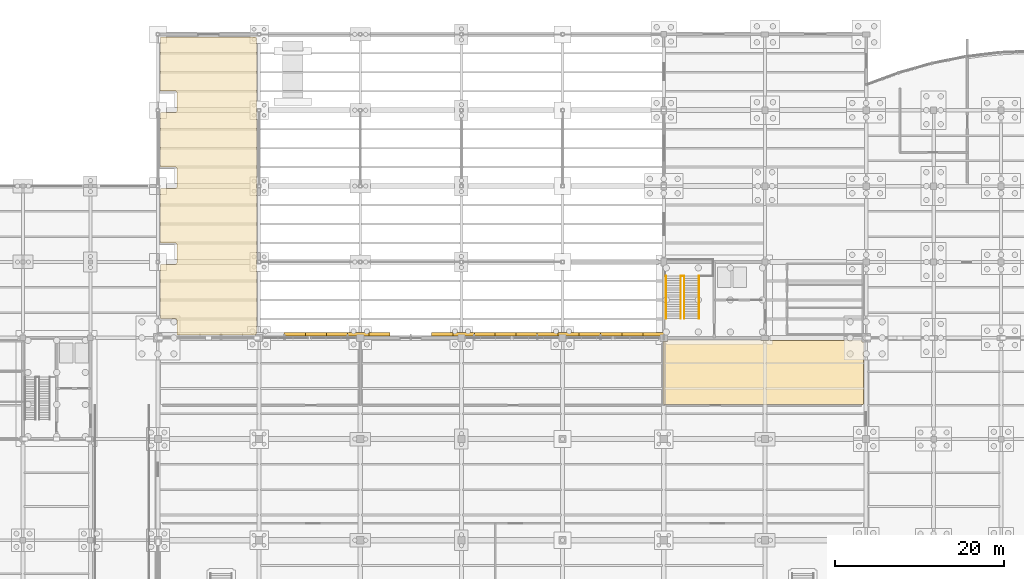
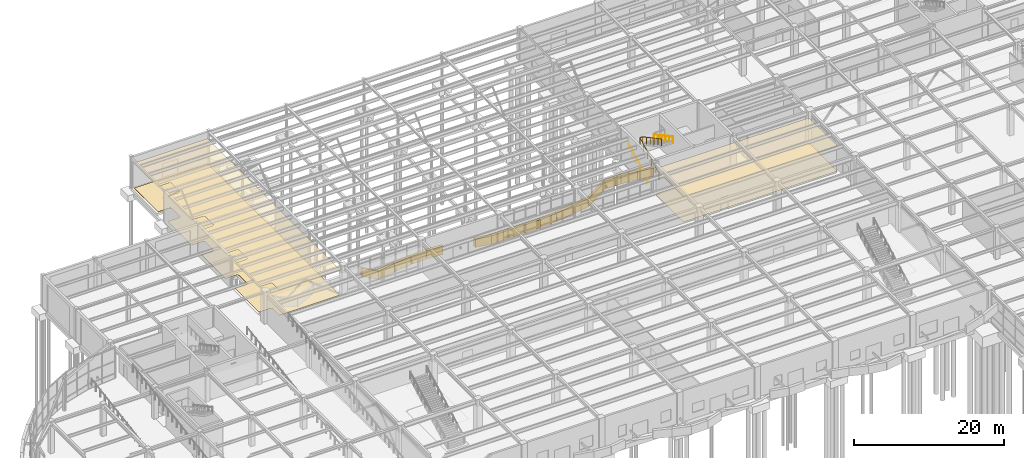
# One storey, part 78 of 85: 20 coverings, 3 railings.
"""IFC4 building model written with IfcOpenShell, lengths in metres."""

from ifc_helpers import new_model, si_unit, direction, frame, origin, origin_2d, place, context, subcontext, project, spatial, polyline, circle, outline, extrude, material, layer, layer_set, type_object, element, save


model = new_model("IFC4")

# Units and contexts
model_context = context("Model", 3, precision=1e-05, world=origin(), true_north=direction((0.0, 1.0)))
body_context = subcontext(model_context, "Body", "Model", "MODEL_VIEW")
ifc_project = project(units=[si_unit("LENGTHUNIT", "METRE"), si_unit("AREAUNIT", "SQUARE_METRE"), si_unit("VOLUMEUNIT", "CUBIC_METRE"), si_unit("PLANEANGLEUNIT", "RADIAN"), si_unit("MASSUNIT", "GRAM", prefix="KILO")], contexts=[model_context])

# Site, building, storey
site_placement = place(None, origin())
site = spatial("IfcSite", under=ifc_project, at=site_placement, CompositionType="ELEMENT")
building_placement = place(site_placement, origin())
building = spatial("IfcBuilding", under=site, at=building_placement, Name="Keelwater Ferry Terminal", CompositionType="ELEMENT")
storey_placement = place(building_placement, origin())
storey = spatial("IfcBuildingStorey", under=building, at=storey_placement, Name="L00", CompositionType="ELEMENT", Elevation=0.0)

# Coverings
ifc_material_1 = material(Name="Perforated acoustic gypsum board ceiling", Category="gypsum")
ifc_layer_1 = layer(ifc_material_1, 0.044921875)
ifc_layer_set_1 = layer_set([ifc_layer_1], Name="Perforated acoustic gypsum board ceiling")
covering_type_1 = type_object("IfcCoveringType", Name="CL-AC Acoustic Baffle Ceiling", PredefinedType="CEILING", material=ifc_layer_set_1)
covering_1_placement = place(storey_placement, frame((0.0, 0.0, 4.10009765625)))
element("IfcCovering", 1, at=covering_1_placement, inside=storey, type_object=covering_type_1, Name="Terminal Electrical Substation Acoustic Ceiling", PredefinedType="CEILING", context=body_context, shape_type="SweptSolid", body=[
    extrude(outline(polyline([(108.43701171875, 89.679931640625), (108.445068359375, 89.679931640625), (131.47998046875, 89.679931640625), (131.488037109375, 89.679931640625), (131.489990234375, 89.678955078125), (131.489990234375, 89.489990234375), (131.678955078125, 89.489990234375), (131.679931640625, 89.488037109375), (131.679931640625, 89.47998046875), (131.679931640625, 82.199951171875), (131.679931640625, 82.19189453125), (131.677978515625, 82.18408203125), (131.677001953125, 82.177001953125), (131.674072265625, 82.1689453125), (131.6708984375, 82.162109375), (131.6669921875, 82.156005859375), (131.662109375, 82.14892578125), (131.656982421875, 82.14306640625), (131.65087890625, 82.137939453125), (131.64404296875, 82.133056640625), (131.637939453125, 82.12890625), (131.631103515625, 82.1259765625), (131.623046875, 82.123046875), (131.615966796875, 82.1220703125), (131.60791015625, 82.1201171875), (131.60009765625, 82.1201171875), (108.0, 82.1201171875), (107.991943359375, 82.1201171875), (107.98388671875, 82.1220703125), (107.97705078125, 82.123046875), (107.968994140625, 82.1259765625), (107.9619140625, 82.12890625), (107.9560546875, 82.133056640625), (107.948974609375, 82.137939453125), (107.943115234375, 82.14306640625), (107.93798828125, 82.14892578125), (107.93310546875, 82.156005859375), (107.928955078125, 82.162109375), (107.926025390625, 82.1689453125), (107.923095703125, 82.177001953125), (107.922119140625, 82.18408203125), (107.919921875, 82.19189453125), (107.919921875, 82.199951171875), (107.919921875, 89.554931640625), (107.919921875, 89.56298828125), (107.9208984375, 89.56494140625), (108.43505859375, 89.56494140625), (108.43505859375, 89.678955078125), (108.43701171875, 89.679931640625)])), origin(), (0.0, 0.0, 1.0), 0.044921875),
])
covering_2_placement = place(storey_placement, frame((0.0, 0.0, 4.10009765625)))
element("IfcCovering", 2, at=covering_2_placement, inside=storey, type_object=covering_type_1, Name="Bicycle Hub Acoustic Ceiling", PredefinedType="CEILING", context=body_context, shape_type="SweptSolid", body=[
    extrude(outline(polyline([(59.615966796875, 125.677978515625), (59.623046875, 125.677001953125), (59.631103515625, 125.674072265625), (59.637939453125, 125.6708984375), (59.64404296875, 125.6669921875), (59.65087890625, 125.662109375), (59.656982421875, 125.656982421875), (59.662109375, 125.65087890625), (59.6669921875, 125.64404296875), (59.6708984375, 125.637939453125), (59.674072265625, 125.631103515625), (59.677001953125, 125.623046875), (59.677978515625, 125.615966796875), (59.679931640625, 125.60791015625), (59.679931640625, 125.60009765625), (59.679931640625, 90.445068359375), (59.679931640625, 90.43701171875), (59.678955078125, 90.43505859375), (59.56494140625, 90.43505859375), (59.56494140625, 90.321044921875), (59.56298828125, 90.320068359375), (59.554931640625, 90.320068359375), (50.280029296875, 90.320068359375), (50.280029296875, 92.0), (50.279052734375, 92.027099609375), (50.27490234375, 92.054931640625), (50.26806640625, 92.0810546875), (50.259033203125, 92.10693359375), (50.2470703125, 92.132080078125), (50.23291015625, 92.156005859375), (50.216064453125, 92.177978515625), (50.197998046875, 92.197998046875), (50.177978515625, 92.216064453125), (50.156005859375, 92.23291015625), (50.132080078125, 92.2470703125), (50.10693359375, 92.259033203125), (50.0810546875, 92.26806640625), (50.054931640625, 92.27490234375), (50.027099609375, 92.279052734375), (50.0, 92.280029296875), (48.320068359375, 92.280029296875), (48.320068359375, 98.719970703125), (50.0, 98.719970703125), (50.027099609375, 98.720947265625), (50.054931640625, 98.72509765625), (50.0810546875, 98.73193359375), (50.10693359375, 98.740966796875), (50.132080078125, 98.7529296875), (50.156005859375, 98.76708984375), (50.177978515625, 98.783935546875), (50.197998046875, 98.802001953125), (50.216064453125, 98.822021484375), (50.23291015625, 98.843994140625), (50.2470703125, 98.867919921875), (50.259033203125, 98.89306640625), (50.26806640625, 98.9189453125), (50.27490234375, 98.945068359375), (50.279052734375, 98.972900390625), (50.280029296875, 99.0), (50.280029296875, 101.0), (50.279052734375, 101.027099609375), (50.27490234375, 101.054931640625), (50.26806640625, 101.0810546875), (50.259033203125, 101.10693359375), (50.2470703125, 101.132080078125), (50.23291015625, 101.156005859375), (50.216064453125, 101.177978515625), (50.197998046875, 101.197998046875), (50.177978515625, 101.216064453125), (50.156005859375, 101.23291015625), (50.132080078125, 101.2470703125), (50.10693359375, 101.259033203125), (50.0810546875, 101.26806640625), (50.054931640625, 101.27490234375), (50.027099609375, 101.279052734375), (50.0, 101.280029296875), (48.320068359375, 101.280029296875), (48.320068359375, 107.719970703125), (50.0, 107.719970703125), (50.027099609375, 107.720947265625), (50.054931640625, 107.72509765625), (50.0810546875, 107.73193359375), (50.10693359375, 107.740966796875), (50.132080078125, 107.7529296875), (50.156005859375, 107.76708984375), (50.177978515625, 107.783935546875), (50.197998046875, 107.802001953125), (50.216064453125, 107.822021484375), (50.23291015625, 107.843994140625), (50.2470703125, 107.867919921875), (50.259033203125, 107.89306640625), (50.26806640625, 107.9189453125), (50.27490234375, 107.945068359375), (50.279052734375, 107.972900390625), (50.280029296875, 108.0), (50.280029296875, 110.0), (50.279052734375, 110.027099609375), (50.27490234375, 110.054931640625), (50.26806640625, 110.0810546875), (50.259033203125, 110.10693359375), (50.2470703125, 110.132080078125), (50.23291015625, 110.156005859375), (50.216064453125, 110.177978515625), (50.197998046875, 110.197998046875), (50.177978515625, 110.216064453125), (50.156005859375, 110.23291015625), (50.132080078125, 110.2470703125), (50.10693359375, 110.259033203125), (50.0810546875, 110.26806640625), (50.054931640625, 110.27490234375), (50.027099609375, 110.279052734375), (50.0, 110.280029296875), (48.320068359375, 110.280029296875), (48.320068359375, 116.719970703125), (50.0, 116.719970703125), (50.027099609375, 116.720947265625), (50.054931640625, 116.72509765625), (50.0810546875, 116.73193359375), (50.10693359375, 116.740966796875), (50.132080078125, 116.7529296875), (50.156005859375, 116.76708984375), (50.177978515625, 116.783935546875), (50.197998046875, 116.802001953125), (50.216064453125, 116.822021484375), (50.23291015625, 116.843994140625), (50.2470703125, 116.867919921875), (50.259033203125, 116.89306640625), (50.26806640625, 116.9189453125), (50.27490234375, 116.945068359375), (50.279052734375, 116.972900390625), (50.280029296875, 117.0), (50.280029296875, 119.0), (50.279052734375, 119.027099609375), (50.27490234375, 119.054931640625), (50.26806640625, 119.0810546875), (50.259033203125, 119.10693359375), (50.2470703125, 119.132080078125), (50.23291015625, 119.156005859375), (50.216064453125, 119.177978515625), (50.197998046875, 119.197998046875), (50.177978515625, 119.216064453125), (50.156005859375, 119.23291015625), (50.132080078125, 119.2470703125), (50.10693359375, 119.259033203125), (50.0810546875, 119.26806640625), (50.054931640625, 119.27490234375), (50.027099609375, 119.279052734375), (50.0, 119.280029296875), (48.320068359375, 119.280029296875), (48.320068359375, 125.60009765625), (48.320068359375, 125.60791015625), (48.322021484375, 125.615966796875), (48.322998046875, 125.623046875), (48.325927734375, 125.631103515625), (48.3291015625, 125.637939453125), (48.3330078125, 125.64404296875), (48.337890625, 125.65087890625), (48.343017578125, 125.656982421875), (48.34912109375, 125.662109375), (48.35595703125, 125.6669921875), (48.362060546875, 125.6708984375), (48.368896484375, 125.674072265625), (48.376953125, 125.677001953125), (48.384033203125, 125.677978515625), (48.39208984375, 125.679931640625), (48.39990234375, 125.679931640625), (59.60009765625, 125.679931640625), (59.60791015625, 125.679931640625), (59.615966796875, 125.677978515625)])), origin(), (0.0, 0.0, 1.0), 0.044921875),
])
ifc_material_2 = material(Name="Polished mineral terrazzo tile", Category="stone")
ifc_layer_2 = layer(ifc_material_2, 0.030029296875)
ifc_layer_set_2 = layer_set([ifc_layer_2], Name="Polished mineral terrazzo tile")
covering_type_2 = type_object("IfcCoveringType", Name="FL-TZ Marine Terrazzo Flooring", PredefinedType="FLOORING", material=ifc_layer_set_2)
covering_3_placement = place(storey_placement, origin())
element("IfcCovering", 3, at=covering_3_placement, inside=storey, type_object=covering_type_2, Name="Terminal Electrical Substation Terrazzo Floor", PredefinedType="FLOORING", context=body_context, shape_type="SweptSolid", body=[
    extrude(outline(polyline([(108.43701171875, 89.679931640625), (108.445068359375, 89.679931640625), (131.47998046875, 89.679931640625), (131.488037109375, 89.679931640625), (131.489990234375, 89.678955078125), (131.489990234375, 89.489990234375), (131.678955078125, 89.489990234375), (131.679931640625, 89.488037109375), (131.679931640625, 89.47998046875), (131.679931640625, 82.199951171875), (131.679931640625, 82.19189453125), (131.677978515625, 82.18408203125), (131.677001953125, 82.177001953125), (131.674072265625, 82.1689453125), (131.6708984375, 82.162109375), (131.6669921875, 82.156005859375), (131.662109375, 82.14892578125), (131.656982421875, 82.14306640625), (131.65087890625, 82.137939453125), (131.64404296875, 82.133056640625), (131.637939453125, 82.12890625), (131.631103515625, 82.1259765625), (131.623046875, 82.123046875), (131.615966796875, 82.1220703125), (131.60791015625, 82.1201171875), (131.60009765625, 82.1201171875), (108.0, 82.1201171875), (107.991943359375, 82.1201171875), (107.98388671875, 82.1220703125), (107.97705078125, 82.123046875), (107.968994140625, 82.1259765625), (107.9619140625, 82.12890625), (107.9560546875, 82.133056640625), (107.948974609375, 82.137939453125), (107.943115234375, 82.14306640625), (107.93798828125, 82.14892578125), (107.93310546875, 82.156005859375), (107.928955078125, 82.162109375), (107.926025390625, 82.1689453125), (107.923095703125, 82.177001953125), (107.922119140625, 82.18408203125), (107.919921875, 82.19189453125), (107.919921875, 82.199951171875), (107.919921875, 89.554931640625), (107.919921875, 89.56298828125), (107.9208984375, 89.56494140625), (108.43505859375, 89.56494140625), (108.43505859375, 89.678955078125), (108.43701171875, 89.679931640625)])), origin(), (0.0, 0.0, 1.0), 0.030029296875),
])
covering_4_placement = place(storey_placement, origin())
element("IfcCovering", 4, at=covering_4_placement, inside=storey, type_object=covering_type_2, Name="Bicycle Hub Terrazzo Floor", PredefinedType="FLOORING", context=body_context, shape_type="SweptSolid", body=[
    extrude(outline(polyline([(59.615966796875, 125.677978515625), (59.623046875, 125.677001953125), (59.631103515625, 125.674072265625), (59.637939453125, 125.6708984375), (59.64404296875, 125.6669921875), (59.65087890625, 125.662109375), (59.656982421875, 125.656982421875), (59.662109375, 125.65087890625), (59.6669921875, 125.64404296875), (59.6708984375, 125.637939453125), (59.674072265625, 125.631103515625), (59.677001953125, 125.623046875), (59.677978515625, 125.615966796875), (59.679931640625, 125.60791015625), (59.679931640625, 125.60009765625), (59.679931640625, 90.445068359375), (59.679931640625, 90.43701171875), (59.678955078125, 90.43505859375), (59.56494140625, 90.43505859375), (59.56494140625, 90.321044921875), (59.56298828125, 90.320068359375), (59.554931640625, 90.320068359375), (50.280029296875, 90.320068359375), (50.280029296875, 92.0), (50.279052734375, 92.027099609375), (50.27490234375, 92.054931640625), (50.26806640625, 92.0810546875), (50.259033203125, 92.10693359375), (50.2470703125, 92.132080078125), (50.23291015625, 92.156005859375), (50.216064453125, 92.177978515625), (50.197998046875, 92.197998046875), (50.177978515625, 92.216064453125), (50.156005859375, 92.23291015625), (50.132080078125, 92.2470703125), (50.10693359375, 92.259033203125), (50.0810546875, 92.26806640625), (50.054931640625, 92.27490234375), (50.027099609375, 92.279052734375), (50.0, 92.280029296875), (48.320068359375, 92.280029296875), (48.320068359375, 98.719970703125), (50.0, 98.719970703125), (50.027099609375, 98.720947265625), (50.054931640625, 98.72509765625), (50.0810546875, 98.73193359375), (50.10693359375, 98.740966796875), (50.132080078125, 98.7529296875), (50.156005859375, 98.76708984375), (50.177978515625, 98.783935546875), (50.197998046875, 98.802001953125), (50.216064453125, 98.822021484375), (50.23291015625, 98.843994140625), (50.2470703125, 98.867919921875), (50.259033203125, 98.89306640625), (50.26806640625, 98.9189453125), (50.27490234375, 98.945068359375), (50.279052734375, 98.972900390625), (50.280029296875, 99.0), (50.280029296875, 101.0), (50.279052734375, 101.027099609375), (50.27490234375, 101.054931640625), (50.26806640625, 101.0810546875), (50.259033203125, 101.10693359375), (50.2470703125, 101.132080078125), (50.23291015625, 101.156005859375), (50.216064453125, 101.177978515625), (50.197998046875, 101.197998046875), (50.177978515625, 101.216064453125), (50.156005859375, 101.23291015625), (50.132080078125, 101.2470703125), (50.10693359375, 101.259033203125), (50.0810546875, 101.26806640625), (50.054931640625, 101.27490234375), (50.027099609375, 101.279052734375), (50.0, 101.280029296875), (48.320068359375, 101.280029296875), (48.320068359375, 107.719970703125), (50.0, 107.719970703125), (50.027099609375, 107.720947265625), (50.054931640625, 107.72509765625), (50.0810546875, 107.73193359375), (50.10693359375, 107.740966796875), (50.132080078125, 107.7529296875), (50.156005859375, 107.76708984375), (50.177978515625, 107.783935546875), (50.197998046875, 107.802001953125), (50.216064453125, 107.822021484375), (50.23291015625, 107.843994140625), (50.2470703125, 107.867919921875), (50.259033203125, 107.89306640625), (50.26806640625, 107.9189453125), (50.27490234375, 107.945068359375), (50.279052734375, 107.972900390625), (50.280029296875, 108.0), (50.280029296875, 110.0), (50.279052734375, 110.027099609375), (50.27490234375, 110.054931640625), (50.26806640625, 110.0810546875), (50.259033203125, 110.10693359375), (50.2470703125, 110.132080078125), (50.23291015625, 110.156005859375), (50.216064453125, 110.177978515625), (50.197998046875, 110.197998046875), (50.177978515625, 110.216064453125), (50.156005859375, 110.23291015625), (50.132080078125, 110.2470703125), (50.10693359375, 110.259033203125), (50.0810546875, 110.26806640625), (50.054931640625, 110.27490234375), (50.027099609375, 110.279052734375), (50.0, 110.280029296875), (48.320068359375, 110.280029296875), (48.320068359375, 116.719970703125), (50.0, 116.719970703125), (50.027099609375, 116.720947265625), (50.054931640625, 116.72509765625), (50.0810546875, 116.73193359375), (50.10693359375, 116.740966796875), (50.132080078125, 116.7529296875), (50.156005859375, 116.76708984375), (50.177978515625, 116.783935546875), (50.197998046875, 116.802001953125), (50.216064453125, 116.822021484375), (50.23291015625, 116.843994140625), (50.2470703125, 116.867919921875), (50.259033203125, 116.89306640625), (50.26806640625, 116.9189453125), (50.27490234375, 116.945068359375), (50.279052734375, 116.972900390625), (50.280029296875, 117.0), (50.280029296875, 119.0), (50.279052734375, 119.027099609375), (50.27490234375, 119.054931640625), (50.26806640625, 119.0810546875), (50.259033203125, 119.10693359375), (50.2470703125, 119.132080078125), (50.23291015625, 119.156005859375), (50.216064453125, 119.177978515625), (50.197998046875, 119.197998046875), (50.177978515625, 119.216064453125), (50.156005859375, 119.23291015625), (50.132080078125, 119.2470703125), (50.10693359375, 119.259033203125), (50.0810546875, 119.26806640625), (50.054931640625, 119.27490234375), (50.027099609375, 119.279052734375), (50.0, 119.280029296875), (48.320068359375, 119.280029296875), (48.320068359375, 125.60009765625), (48.320068359375, 125.60791015625), (48.322021484375, 125.615966796875), (48.322998046875, 125.623046875), (48.325927734375, 125.631103515625), (48.3291015625, 125.637939453125), (48.3330078125, 125.64404296875), (48.337890625, 125.65087890625), (48.343017578125, 125.656982421875), (48.34912109375, 125.662109375), (48.35595703125, 125.6669921875), (48.362060546875, 125.6708984375), (48.368896484375, 125.674072265625), (48.376953125, 125.677001953125), (48.384033203125, 125.677978515625), (48.39208984375, 125.679931640625), (48.39990234375, 125.679931640625), (59.60009765625, 125.679931640625), (59.60791015625, 125.679931640625), (59.615966796875, 125.677978515625)])), origin(), (0.0, 0.0, 1.0), 0.030029296875),
])

# Railings
ifc_material_3 = material(Name="Painted Steel S355", Category="steel")
railing_type_1 = type_object("IfcRailingType", Name="GR-115 Stair Well Guardrail", PredefinedType="GUARDRAIL", material=ifc_material_3)
railing_1_placement = place(storey_placement, frame((110.010009765625, 92.300048828125, 0.0)))
element("IfcRailing", 5, at=railing_1_placement, inside=storey, type_object=railing_type_1, Name="Stair ST-C2-L00 Inner Well Guard 12", PredefinedType="GUARDRAIL", context=body_context, shape_type="SweptSolid", body=[
    extrude(circle(Radius=0.02392578125, at=origin_2d()), frame((0.0, 0.0, 1.1259765625), z_axis=(0.0, 0.881485048194, 0.472211933151), x_axis=(-1.0, 0.0, 0.0)), (0.0, 0.0, 1.0), 5.7177734375),
    extrude(circle(Radius=0.02392578125, at=origin_2d()), frame((0.0, 5.0400390625, 3.82568359375), z_axis=(1.0, 0.0, 0.0), x_axis=(0.0, 1.0, 0.0)), (0.0, 0.0, 1.0), 0.419921875),
    extrude(circle(Radius=0.02392578125, at=origin_2d()), frame((0.419921875, 5.0400390625, 3.82568359375), z_axis=(0.0, -0.881485048194, 0.472211933151), x_axis=(1.0, 0.0, 0.0)), (0.0, 0.0, 1.0), 5.7177734375),
    extrude(circle(Radius=0.02099609375, at=origin_2d()), origin(), (0.0, 0.0, 1.0), 1.101806640625),
    extrude(circle(Radius=0.02099609375, at=origin_2d()), frame((0.0, 1.008056640625, 0.5400390625)), (0.0, 0.0, 1.0), 1.101806640625),
    extrude(circle(Radius=0.02099609375, at=origin_2d()), frame((0.0, 2.01611328125, 1.080078125)), (0.0, 0.0, 1.0), 1.101806640625),
    extrude(circle(Radius=0.02099609375, at=origin_2d()), frame((0.0, 3.02392578125, 1.619873046875)), (0.0, 0.0, 1.0), 1.101806640625),
    extrude(circle(Radius=0.02099609375, at=origin_2d()), frame((0.0, 4.031982421875, 2.159912109375)), (0.0, 0.0, 1.0), 1.101806640625),
    extrude(circle(Radius=0.02099609375, at=origin_2d()), frame((0.0, 5.0400390625, 2.699951171875)), (0.0, 0.0, 1.0), 1.101806640625),
    extrude(circle(Radius=0.02099609375, at=origin_2d()), frame((0.419921875, 5.0400390625, 2.699951171875)), (0.0, 0.0, 1.0), 1.101806640625),
    extrude(circle(Radius=0.02099609375, at=origin_2d()), frame((0.419921875, 4.031982421875, 3.239990234375)), (0.0, 0.0, 1.0), 1.101806640625),
    extrude(circle(Radius=0.02099609375, at=origin_2d()), frame((0.419921875, 3.02392578125, 3.780029296875)), (0.0, 0.0, 1.0), 1.101806640625),
    extrude(circle(Radius=0.02099609375, at=origin_2d()), frame((0.419921875, 2.01611328125, 4.31982421875)), (0.0, 0.0, 1.0), 1.101806640625),
    extrude(circle(Radius=0.02099609375, at=origin_2d()), frame((0.419921875, 1.008056640625, 4.85986328125)), (0.0, 0.0, 1.0), 1.101806640625),
    extrude(circle(Radius=0.02099609375, at=origin_2d()), frame((0.419921875, 0.0, 5.39990234375)), (0.0, 0.0, 1.0), 1.101806640625),
])
ifc_material_4 = material(Name="Brushed stainless steel handrail", Category="steel")
railing_type_2 = type_object("IfcRailingType", Name="HR-920 Stair Pitch Handrail", PredefinedType="HANDRAIL", material=ifc_material_4)
railing_2_placement = place(storey_placement, frame((108.260009765625, 92.300048828125, 0.0)))
element("IfcRailing", 6, at=railing_2_placement, inside=storey, type_object=railing_type_2, Name="Stair ST-C2-L00 Flight 1 Handrail 14", PredefinedType="HANDRAIL", context=body_context, shape_type="SweptSolid", body=[
    extrude(circle(Radius=0.02392578125, at=origin_2d()), frame((0.0, 0.0, 0.89599609375), z_axis=(0.0, 0.881485048194, 0.472211933151), x_axis=(-1.0, 0.0, 0.0)), (0.0, 0.0, 1.0), 5.7177734375),
    extrude(circle(Radius=0.02099609375, at=origin_2d()), origin(), (0.0, 0.0, 1.0), 0.871826171875),
    extrude(circle(Radius=0.02099609375, at=origin_2d()), frame((0.0, 1.008056640625, 0.5400390625)), (0.0, 0.0, 1.0), 0.871826171875),
    extrude(circle(Radius=0.02099609375, at=origin_2d()), frame((0.0, 2.01611328125, 1.080078125)), (0.0, 0.0, 1.0), 0.871826171875),
    extrude(circle(Radius=0.02099609375, at=origin_2d()), frame((0.0, 3.02392578125, 1.619873046875)), (0.0, 0.0, 1.0), 0.871826171875),
    extrude(circle(Radius=0.02099609375, at=origin_2d()), frame((0.0, 4.031982421875, 2.159912109375)), (0.0, 0.0, 1.0), 0.871826171875),
    extrude(circle(Radius=0.02099609375, at=origin_2d()), frame((0.0, 5.0400390625, 2.699951171875)), (0.0, 0.0, 1.0), 0.871826171875),
])
railing_3_placement = place(storey_placement, frame((112.179931640625, 97.340087890625, 2.699951171875)))
element("IfcRailing", 7, at=railing_3_placement, inside=storey, type_object=railing_type_2, Name="Stair ST-C2-L00 Flight 2 Handrail 15", PredefinedType="HANDRAIL", context=body_context, shape_type="SweptSolid", body=[
    extrude(circle(Radius=0.02392578125, at=origin_2d()), frame((0.0, 0.0, 0.89599609375), z_axis=(0.0, -0.881485048194, 0.472211933151), x_axis=(1.0, 0.0, 0.0)), (0.0, 0.0, 1.0), 5.7177734375),
    extrude(circle(Radius=0.02099609375, at=origin_2d()), origin(), (0.0, 0.0, 1.0), 0.871826171875),
    extrude(circle(Radius=0.02099609375, at=origin_2d()), frame((0.0, -1.008056640625, 0.5400390625)), (0.0, 0.0, 1.0), 0.871826171875),
    extrude(circle(Radius=0.02099609375, at=origin_2d()), frame((0.0, -2.01611328125, 1.080078125)), (0.0, 0.0, 1.0), 0.871826171875),
    extrude(circle(Radius=0.02099609375, at=origin_2d()), frame((0.0, -3.02392578125, 1.619873046875)), (0.0, 0.0, 1.0), 0.871826171875),
    extrude(circle(Radius=0.02099609375, at=origin_2d()), frame((0.0, -4.031982421875, 2.159912109375)), (0.0, 0.0, 1.0), 0.871826171875),
    extrude(circle(Radius=0.02099609375, at=origin_2d()), frame((0.0, -5.0400390625, 2.699951171875)), (0.0, 0.0, 1.0), 0.871826171875),
])

# Coverings
ifc_material_5 = material(Name="Matte white architectural aluminium fascia ribbon", Category="aluminium")
ifc_layer_3 = layer(ifc_material_5, 0.1201171875)
ifc_layer_set_3 = layer_set([ifc_layer_3], Name="Matte white architectural aluminium fascia ribbon")
covering_type_3 = type_object("IfcCoveringType", Name="RB-WHT Matte White Fascia Ribbon", PredefinedType="CLADDING", material=ifc_layer_set_3)
covering_5_placement = place(storey_placement, frame((108.02490234375, 90.419921875, 2.527099609375), z_axis=(0.0, 0.0, 1.0), x_axis=(-1.0, 0.0, 0.0)))
element("IfcCovering", 8, at=covering_5_placement, inside=storey, type_object=covering_type_3, Name="Quay Plinth Wave Fascia Ribbon 1", PredefinedType="CLADDING", context=body_context, shape_type="SweptSolid", body=[
    extrude(outline(polyline([(0.0, 0.0), (2.5498046875, 0.3349609375), (2.5498046875, 1.684814453125), (0.0, 1.349853515625), (0.0, 0.0)])), frame((0.0, 0.2099609375, 0.0), z_axis=(0.0, -1.0, 0.0), x_axis=(1.0, 0.0, 0.0)), (0.0, 0.0, 1.0), 0.419921875),
])
covering_6_placement = place(storey_placement, frame((105.52490234375, 90.419921875, 2.862060546875), z_axis=(0.0, 0.0, 1.0), x_axis=(-1.0, 0.0, 0.0)))
element("IfcCovering", 9, at=covering_6_placement, inside=storey, type_object=covering_type_3, Name="Quay Plinth Wave Fascia Ribbon 12", PredefinedType="CLADDING", context=body_context, shape_type="SweptSolid", body=[
    extrude(outline(polyline([(0.0, 0.0), (2.5498046875, 0.197998046875), (2.5498046875, 1.5478515625), (0.0, 1.349853515625), (0.0, 0.0)])), frame((0.0, 0.2099609375, 0.0), z_axis=(0.0, -1.0, 0.0), x_axis=(1.0, 0.0, 0.0)), (0.0, 0.0, 1.0), 0.419921875),
])
covering_7_placement = place(storey_placement, frame((103.02490234375, 90.419921875, 3.06005859375), z_axis=(0.0, 0.0, 1.0), x_axis=(-1.0, 0.0, 0.0)))
element("IfcCovering", 10, at=covering_7_placement, inside=storey, type_object=covering_type_3, Name="Quay Plinth Wave Fascia Ribbon 16", PredefinedType="CLADDING", context=body_context, shape_type="SweptSolid", body=[
    extrude(outline(polyline([(0.0, 0.0), (2.5498046875, 0.0029296875), (2.5498046875, 1.35302734375), (0.0, 1.349853515625), (0.0, 0.0)])), frame((0.0, 0.2099609375, 0.0), z_axis=(0.0, -1.0, 0.0), x_axis=(1.0, 0.0, 0.0)), (0.0, 0.0, 1.0), 0.419921875),
])
covering_8_placement = place(storey_placement, frame((100.52490234375, 90.419921875, 1.10693359375), z_axis=(0.0, 0.0, 1.0), x_axis=(-1.0, 0.0, 0.0)))
element("IfcCovering", 11, at=covering_8_placement, inside=storey, type_object=covering_type_3, Name="Quay Plinth Wave Fascia Ribbon 20", PredefinedType="CLADDING", context=body_context, shape_type="SweptSolid", body=[
    extrude(outline(polyline([(0.0, 1.9560546875), (2.5498046875, 0.0), (2.5498046875, 1.35009765625), (0.0, 3.30615234375), (0.0, 1.9560546875)])), frame((0.0, 0.2099609375, 0.0), z_axis=(0.0, -1.0, 0.0), x_axis=(1.0, 0.0, 0.0)), (0.0, 0.0, 1.0), 0.419921875),
])
covering_9_placement = place(storey_placement, frame((98.02490234375, 90.419921875, 0.77392578125), z_axis=(0.0, 0.0, 1.0), x_axis=(-1.0, 0.0, 0.0)))
element("IfcCovering", 12, at=covering_9_placement, inside=storey, type_object=covering_type_3, Name="Quay Plinth Wave Fascia Ribbon 31", PredefinedType="CLADDING", context=body_context, shape_type="SweptSolid", body=[
    extrude(outline(polyline([(0.0, 0.3330078125), (2.5498046875, 0.0), (2.5498046875, 1.35009765625), (0.0, 1.68310546875), (0.0, 0.3330078125)])), frame((0.0, 0.2099609375, 0.0), z_axis=(0.0, -1.0, 0.0), x_axis=(1.0, 0.0, 0.0)), (0.0, 0.0, 1.0), 0.419921875),
])
covering_10_placement = place(storey_placement, frame((95.52490234375, 90.419921875, 0.39794921875), z_axis=(0.0, 0.0, 1.0), x_axis=(-1.0, 0.0, 0.0)))
element("IfcCovering", 13, at=covering_10_placement, inside=storey, type_object=covering_type_3, Name="Quay Plinth Wave Fascia Ribbon 35", PredefinedType="CLADDING", context=body_context, shape_type="SweptSolid", body=[
    extrude(outline(polyline([(0.0, 0.3759765625), (2.5498046875, 0.0), (2.5498046875, 1.35009765625), (0.0, 1.72607421875), (0.0, 0.3759765625)])), frame((0.0, 0.2099609375, 0.0), z_axis=(0.0, -1.0, 0.0), x_axis=(1.0, 0.0, 0.0)), (0.0, 0.0, 1.0), 0.419921875),
])
covering_11_placement = place(storey_placement, frame((93.02490234375, 90.419921875, 0.25), z_axis=(0.0, 0.0, 1.0), x_axis=(-1.0, 0.0, 0.0)))
element("IfcCovering", 14, at=covering_11_placement, inside=storey, type_object=covering_type_3, Name="Quay Plinth Wave Fascia Ribbon 39", PredefinedType="CLADDING", context=body_context, shape_type="SweptSolid", body=[
    extrude(outline(polyline([(0.0, 0.14794921875), (2.5498046875, 0.0), (2.5498046875, 1.35009765625), (0.0, 1.498046875), (0.0, 0.14794921875)])), frame((0.0, 0.2099609375, 0.0), z_axis=(0.0, -1.0, 0.0), x_axis=(1.0, 0.0, 0.0)), (0.0, 0.0, 1.0), 0.419921875),
])
for number, where, z_axis, x_axis, name in (
    (15, (90.52490234375, 90.419921875, 0.25), (0.0, 0.0, 1.0), (-1.0, 0.0, 0.0), "Quay Plinth Wave Fascia Ribbon 50"),
    (16, (88.02490234375, 90.419921875, 0.25), (0.0, 0.0, 1.0), (-1.0, 0.0, 0.0), "Quay Plinth Wave Fascia Ribbon 54"),
    (17, (85.52490234375, 90.419921875, 0.25), (0.0, 0.0, 1.0), (-1.0, 0.0, 0.0), "Quay Plinth Wave Fascia Ribbon 58"),
):
    element("IfcCovering", number, at=place(storey_placement, frame(where, z_axis=z_axis, x_axis=x_axis)), inside=storey, type_object=covering_type_3, Name=name, PredefinedType="CLADDING", context=body_context, shape_type="SweptSolid", body=[
        extrude(outline(polyline([(0.0, 0.0), (2.5498046875, 0.0), (2.5498046875, 1.35009765625), (0.0, 1.35009765625), (0.0, 0.0)])), frame((0.0, 0.2099609375, 0.0), z_axis=(0.0, -1.0, 0.0), x_axis=(1.0, 0.0, 0.0)), (0.0, 0.0, 1.0), 0.419921875),
    ])
covering_12_placement = place(storey_placement, frame((83.02490234375, 90.419921875, 0.25), z_axis=(0.0, 0.0, 1.0), x_axis=(-1.0, 0.0, 0.0)))
element("IfcCovering", 18, at=covering_12_placement, inside=storey, type_object=covering_type_3, Name="Quay Plinth Wave Fascia Ribbon 70", PredefinedType="CLADDING", context=body_context, shape_type="SweptSolid", body=[
    extrude(outline(polyline([(0.0, 0.0), (2.5498046875, 0.31689453125), (2.5498046875, 1.6669921875), (0.0, 1.35009765625), (0.0, 0.0)])), frame((0.0, 0.2099609375, 0.0), z_axis=(0.0, -1.0, 0.0), x_axis=(1.0, 0.0, 0.0)), (0.0, 0.0, 1.0), 0.419921875),
])
covering_13_placement = place(storey_placement, frame((75.52490234375, 90.419921875, 1.217041015625), z_axis=(0.0, 0.0, 1.0), x_axis=(-1.0, 0.0, 0.0)))
element("IfcCovering", 19, at=covering_13_placement, inside=storey, type_object=covering_type_3, Name="Quay Plinth Wave Fascia Ribbon 88", PredefinedType="CLADDING", context=body_context, shape_type="SweptSolid", body=[
    extrude(outline(polyline([(0.0, 0.0), (2.5498046875, 0.10791015625), (2.5498046875, 1.4580078125), (0.0, 1.349853515625), (0.0, 0.0)])), frame((0.0, 0.2099609375, 0.0), z_axis=(0.0, -1.0, 0.0), x_axis=(1.0, 0.0, 0.0)), (0.0, 0.0, 1.0), 0.419921875),
])
covering_14_placement = place(storey_placement, frame((73.02490234375, 90.419921875, 1.22998046875), z_axis=(0.0, 0.0, 1.0), x_axis=(-1.0, 0.0, 0.0)))
element("IfcCovering", 20, at=covering_14_placement, inside=storey, type_object=covering_type_3, Name="Quay Plinth Wave Fascia Ribbon 92", PredefinedType="CLADDING", context=body_context, shape_type="SweptSolid", body=[
    extrude(outline(polyline([(0.0, 0.094970703125), (2.5498046875, 0.0), (2.5498046875, 1.35009765625), (0.0, 1.445068359375), (0.0, 0.094970703125)])), frame((0.0, 0.2099609375, 0.0), z_axis=(0.0, -1.0, 0.0), x_axis=(1.0, 0.0, 0.0)), (0.0, 0.0, 1.0), 0.419921875),
])
covering_15_placement = place(storey_placement, frame((70.52490234375, 90.419921875, 0.958984375), z_axis=(0.0, 0.0, 1.0), x_axis=(-1.0, 0.0, 0.0)))
element("IfcCovering", 21, at=covering_15_placement, inside=storey, type_object=covering_type_3, Name="Quay Plinth Wave Fascia Ribbon 96", PredefinedType="CLADDING", context=body_context, shape_type="SweptSolid", body=[
    extrude(outline(polyline([(0.0, 0.27099609375), (2.5498046875, 0.0), (2.5498046875, 1.35009765625), (0.0, 1.62109375), (0.0, 0.27099609375)])), frame((0.0, 0.2099609375, 0.0), z_axis=(0.0, -1.0, 0.0), x_axis=(1.0, 0.0, 0.0)), (0.0, 0.0, 1.0), 0.419921875),
])
covering_16_placement = place(storey_placement, frame((68.02490234375, 90.419921875, 0.592041015625), z_axis=(0.0, 0.0, 1.0), x_axis=(-1.0, 0.0, 0.0)))
element("IfcCovering", 22, at=covering_16_placement, inside=storey, type_object=covering_type_3, Name="Quay Plinth Wave Fascia Ribbon 107", PredefinedType="CLADDING", context=body_context, shape_type="SweptSolid", body=[
    extrude(outline(polyline([(0.0, 0.366943359375), (2.5498046875, 0.0), (2.5498046875, 1.349853515625), (0.0, 1.717041015625), (0.0, 0.366943359375)])), frame((0.0, 0.2099609375, 0.0), z_axis=(0.0, -1.0, 0.0), x_axis=(1.0, 0.0, 0.0)), (0.0, 0.0, 1.0), 0.419921875),
])
covering_17_placement = place(storey_placement, frame((65.52490234375, 90.419921875, 0.592041015625), z_axis=(0.0, 0.0, 1.0), x_axis=(-1.0, 0.0, 0.0)))
element("IfcCovering", 23, at=covering_17_placement, inside=storey, type_object=covering_type_3, Name="Quay Plinth Wave Fascia Ribbon 111", PredefinedType="CLADDING", context=body_context, shape_type="SweptSolid", body=[
    extrude(outline(polyline([(0.0, 0.0), (2.5498046875, 1.404052734375), (2.5498046875, 2.75390625), (0.0, 1.349853515625), (0.0, 0.0)])), frame((0.0, 0.2099609375, 0.0), z_axis=(0.0, -1.0, 0.0), x_axis=(1.0, 0.0, 0.0)), (0.0, 0.0, 1.0), 0.419921875),
])

save(model, "model.ifc")
